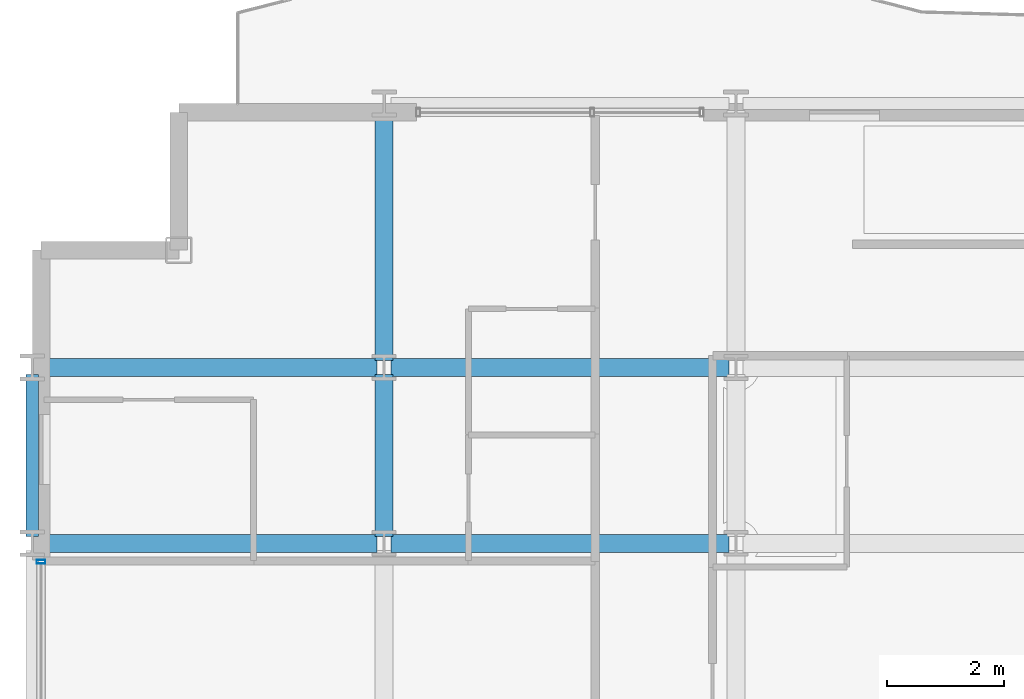
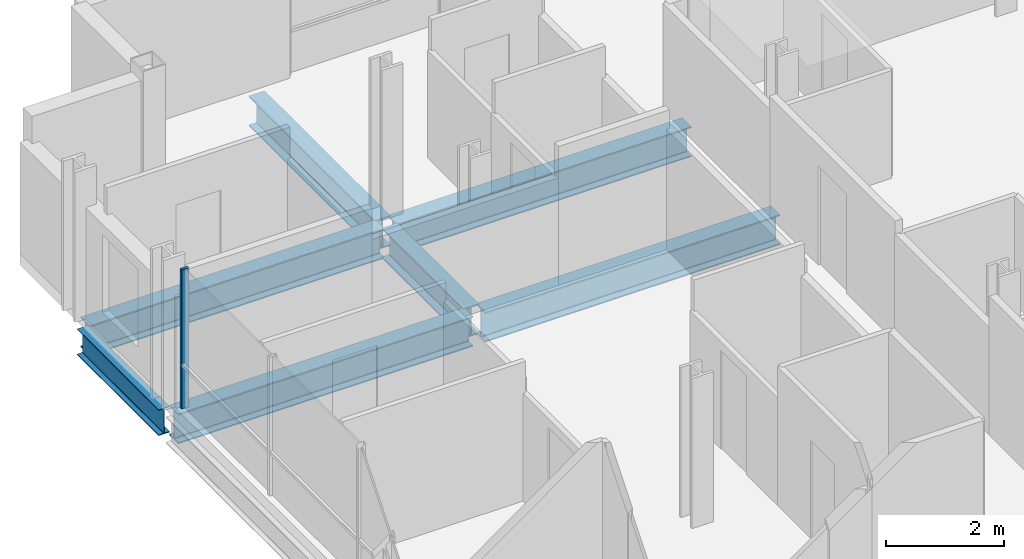
# One storey, part 7 of 41: 7 beams, 1 member, 1 element without a shape of its own.
"""IFC4 building model written with IfcOpenShell, lengths in metres."""

import ifcopenshell
import ifcopenshell.guid

model = None  # the IFC model being written
_history = None  # IfcOwnerHistory: only IFC2X3 demands one
_inside = {}  # id of a spatial element -> (the spatial element, [elements in it])
_under = {}  # id of a project, library or spatial element -> (it, [spatial elements below it])
_declared = {}  # id of a project -> (the project, [libraries it declares])
_typed = {}  # id of a type object -> (the type object, [elements of that type])
_made_of = {}  # id of a material, layer set ... -> (it, [elements and type objects made of it])


def new_model(schema):
    """Start an empty IFC model of exactly this schema.

    Asked for "IFC4X3", IfcOpenShell would pick the latest addendum, in which some entities
    have other attributes; the version numbers below select the first issue.
    IFC2X3 requires an IfcOwnerHistory on every rooted entity: one is made here for all.
    """
    global model, _history
    if schema == "IFC4X3":
        model = ifcopenshell.file(schema_version=(4, 3, 0, 0))
    else:
        model = ifcopenshell.file(schema=schema)
    _inside.clear()
    _under.clear()
    _declared.clear()
    _typed.clear()
    _made_of.clear()
    _history = None
    if model.schema == "IFC2X3":
        org = make("IfcOrganization", Name="unknown")
        user = make(
            "IfcPersonAndOrganization",
            ThePerson=make("IfcPerson", FamilyName="unknown"),
            TheOrganization=org,
        )
        app = make(
            "IfcApplication",
            ApplicationDeveloper=org,
            Version="unknown",
            ApplicationFullName="unknown",
            ApplicationIdentifier="unknown",
        )
        _history = make(
            "IfcOwnerHistory",
            OwningUser=user,
            OwningApplication=app,
            ChangeAction="ADDED",
            CreationDate=0,
        )
    return model


def make(cls, **values):
    """One entity of the class cls with the attributes given. An attribute that is None is left unset."""
    return model.create_entity(
        cls, **{name: value for name, value in values.items() if value is not None}
    )


def rooted(cls, **values):
    """An entity with a GlobalId (a new one), such as an element, a storey or a relation."""
    return make(cls, GlobalId=ifcopenshell.guid.new(), OwnerHistory=_history, **values)


def si_unit(unit_type, name, prefix=None):
    """IfcSIUnit, for example si_unit("LENGTHUNIT", "METRE", prefix="MILLI")."""
    return make("IfcSIUnit", UnitType=unit_type, Prefix=prefix, Name=name)


def assignment(units):
    """IfcUnitAssignment: the units of a project."""
    return None if units is None else make("IfcUnitAssignment", Units=units)


def point(xyz):
    """IfcCartesianPoint."""
    return None if xyz is None else make("IfcCartesianPoint", Coordinates=xyz)


def direction(xyz):
    """IfcDirection."""
    return None if xyz is None else make("IfcDirection", DirectionRatios=xyz)


def frame(location, z_axis=None, x_axis=None):
    """IfcAxis2Placement3D, a coordinate frame: its origin and axes. An axis left out is left unset."""
    return make(
        "IfcAxis2Placement3D",
        Location=point(location),
        Axis=direction(z_axis),
        RefDirection=direction(x_axis),
    )


def frame_2d(location, x_axis=None):
    """IfcAxis2Placement2D, a coordinate frame in the plane: its origin and x axis."""
    return make(
        "IfcAxis2Placement2D", Location=point(location), RefDirection=direction(x_axis)
    )


def origin():
    """The frame at (0, 0, 0) with its axes left unset."""
    return frame((0.0, 0.0, 0.0))


def origin_2d():
    """The frame at (0, 0) in the plane with its x axis left unset."""
    return frame_2d((0.0, 0.0))


def place(relative_to, where):
    """IfcLocalPlacement: puts the frame where relative to a parent placement (None: the world)."""
    return make(
        "IfcLocalPlacement", PlacementRelTo=relative_to, RelativePlacement=where
    )


def context(
    kind, dimensions, precision=None, world=None, true_north=None, identifier=None
):
    """IfcGeometricRepresentationContext, for example the 3D "Model" context."""
    return make(
        "IfcGeometricRepresentationContext",
        ContextIdentifier=identifier,
        ContextType=kind,
        CoordinateSpaceDimension=dimensions,
        Precision=precision,
        WorldCoordinateSystem=world,
        TrueNorth=true_north,
    )


def subcontext(parent, identifier, kind, view, scale=None):
    """IfcGeometricRepresentationSubContext, for example "Body" below "Model"."""
    return make(
        "IfcGeometricRepresentationSubContext",
        ContextIdentifier=identifier,
        ContextType=kind,
        ParentContext=parent,
        TargetScale=scale,
        TargetView=view,
    )


def project(units=None, contexts=None):
    """IfcProject with its units and contexts."""
    return rooted(
        "IfcProject",
        Name="project",
        RepresentationContexts=contexts,
        UnitsInContext=assignment(units),
    )


def spatial(cls, under=None, at=None, **own):
    """A site, building, storey or space (cls), placed at a placement, below another one or the project."""
    s = rooted(cls, ObjectPlacement=at, **own)
    if under is not None:
        _under.setdefault(under.id(), (under, []))[1].append(s)
    return s


def profile(cls, at=None, kind="AREA", **sizes):
    """A parametric profile (cls). Its sizes go by their IFC names, for example OverallWidth=200.0."""
    return make(cls, ProfileType=kind, Position=at, **sizes)


def hollow_rectangle(**sizes):
    """IfcRectangleHollowProfileDef."""
    return profile("IfcRectangleHollowProfileDef", **sizes)


def i_section(**sizes):
    """IfcIShapeProfileDef."""
    return profile("IfcIShapeProfileDef", **sizes)


def extrude(swept, where, along, depth):
    """IfcExtrudedAreaSolid: the profile swept, set in the frame where, extruded along a direction by depth."""
    return make(
        "IfcExtrudedAreaSolid",
        SweptArea=swept,
        Position=where,
        ExtrudedDirection=direction(along),
        Depth=depth,
    )


def shape(context_of_items, identifier, shape_type, items):
    """IfcShapeRepresentation: the items that make up one representation, for example the "Body"."""
    return make(
        "IfcShapeRepresentation",
        ContextOfItems=context_of_items,
        RepresentationIdentifier=identifier,
        RepresentationType=shape_type,
        Items=items,
    )


def material(Name=None, Category=None):
    """IfcMaterial."""
    return make("IfcMaterial", Name=Name, Category=Category)


def layer(
    of_material, thickness, ventilated=None, Name=None, Category=None, Priority=None
):
    """IfcMaterialLayer: one layer of a wall or slab, of a material (None: an air gap)."""
    return make(
        "IfcMaterialLayer",
        Material=of_material,
        LayerThickness=thickness,
        IsVentilated=ventilated,
        Name=Name,
        Category=Category,
        Priority=Priority,
    )


def layer_set(layers, Name=None):
    """IfcMaterialLayerSet."""
    return make("IfcMaterialLayerSet", MaterialLayers=layers, LayerSetName=Name)


def material_profile(
    of_material, cross_section, Name=None, Category=None, Priority=None
):
    """IfcMaterialProfile: a cross section and its material."""
    return make(
        "IfcMaterialProfile",
        Name=Name,
        Material=of_material,
        Profile=cross_section,
        Priority=Priority,
        Category=Category,
    )


def profile_set(profiles, Name=None, composite=None):
    """IfcMaterialProfileSet."""
    return make(
        "IfcMaterialProfileSet",
        Name=Name,
        MaterialProfiles=profiles,
        CompositeProfile=composite,
    )


def made_of(thing, what):
    """Note that an element or type object is made of a material, layer set ...; save() writes the relation."""
    if what is not None:
        _made_of.setdefault(what.id(), (what, []))[1].append(thing)
    return thing


def type_object(cls, material=None, **own):
    """A type object (cls), such as IfcWallType, which elements share."""
    return made_of(rooted(cls, **own), material)


def element(
    cls,
    number,
    at=None,
    inside=None,
    cuts=None,
    type_object=None,
    material=None,
    context=None,
    identifier="Body",
    shape_type=None,
    held_by="IfcProductDefinitionShape",
    body=None,
    shapes=None,
    **own,
):
    """One element of the class cls, such as IfcWall. Its Tag is "e" and its number.

    at: its placement. inside: the storey or other place that contains it. cuts: it is an
    opening in that element (IfcRelVoidsElement). A single representation is given by context,
    identifier, shape_type and body (its items); several are given by shapes. held_by: the class
    of the entity that holds the representations. save() writes the other relations.
    """
    e = rooted(cls, Tag="e%d" % number, ObjectPlacement=at, **own)
    if body is not None:
        shapes = [shape(context, identifier, shape_type, body)]
    if shapes is not None:
        e.Representation = make(held_by, Representations=shapes)
    if inside is not None:
        _inside.setdefault(inside.id(), (inside, []))[1].append(e)
    if cuts is not None:
        rooted(
            "IfcRelVoidsElement", RelatingBuildingElement=cuts, RelatedOpeningElement=e
        )
    if type_object is not None:
        _typed.setdefault(type_object.id(), (type_object, []))[1].append(e)
    return made_of(e, material)


def aggregate(whole, parts):
    """IfcRelAggregates: a whole, such as a stair, and the parts it consists of."""
    return rooted("IfcRelAggregates", RelatingObject=whole, RelatedObjects=parts)


def save(model, path):
    """Write the relations noted so far, then the file.

    IfcRelAggregates (storeys below a building ...), IfcRelContainedInSpatialStructure (elements
    in a storey), IfcRelDefinesByType, IfcRelAssociatesMaterial and IfcRelDeclares: one each for
    every whole, place, type object, material and project.
    """
    for whole, parts in _under.values():
        aggregate(whole, parts)
    for where, things in _inside.values():
        rooted(
            "IfcRelContainedInSpatialStructure",
            RelatedElements=things,
            RelatingStructure=where,
        )
    for kind, things in _typed.values():
        rooted("IfcRelDefinesByType", RelatedObjects=things, RelatingType=kind)
    for what, things in _made_of.values():
        rooted("IfcRelAssociatesMaterial", RelatedObjects=things, RelatingMaterial=what)
    for by, libraries in _declared.values():
        rooted("IfcRelDeclares", RelatingContext=by, RelatedDefinitions=libraries)
    model.write(path)


model = new_model("IFC4")

# Units and contexts
model_context = context("Model", 3, precision=1e-05, world=origin(), true_north=direction((0.0, 1.0)))
body_context = subcontext(model_context, "Body", "Model", "MODEL_VIEW")
ifc_project = project(units=[si_unit("LENGTHUNIT", "METRE"), si_unit("AREAUNIT", "SQUARE_METRE"), si_unit("VOLUMEUNIT", "CUBIC_METRE"), si_unit("PLANEANGLEUNIT", "RADIAN"), si_unit("MASSUNIT", "GRAM", prefix="KILO")], contexts=[model_context])

# Site, building, storey
site_placement = place(None, origin())
site = spatial("IfcSite", under=ifc_project, at=site_placement, CompositionType="ELEMENT")
building_placement = place(site_placement, origin())
building = spatial("IfcBuilding", under=site, at=building_placement, Name="Brevholm Reach", CompositionType="ELEMENT")
storey_placement = place(building_placement, frame((0.0, 0.0, 68.300048828125)))
storey = spatial("IfcBuildingStorey", under=building, at=storey_placement, Name="L19", CompositionType="ELEMENT", Elevation=68.300048828125)

# Beams
ifc_material_1 = material(Name="Structural Steel S355J2", Category="steel")
ifc_material_profile_1 = material_profile(ifc_material_1, i_section(OverallWidth=0.210693359375, OverallDepth=0.53955078125, WebThickness=0.01171875, FlangeThickness=0.018798828125, FilletRadius=0.0126953125, at=origin_2d()), Name="UKB 533x210x109")
ifc_profile_set_1 = profile_set([ifc_material_profile_1], Name="Structural Steel S355J2")
beam_type_1 = type_object("IfcBeamType", Name="BM-SP539", PredefinedType="SPANDREL", material=ifc_profile_set_1)
beam_1_placement = place(storey_placement, frame((0.0, 23.6201171875, -0.499755859375), z_axis=(0.0, 1.0, 0.0), x_axis=(-1.0, 0.0, 0.0)))
element("IfcBeam", 1, at=beam_1_placement, inside=storey, type_object=beam_type_1, Name="L19 SP-01B Framing Beam", PredefinedType="SPANDREL", context=body_context, shape_type="SweptSolid", body=[
    extrude(i_section(OverallWidth=0.210693359375, OverallDepth=0.53955078125, WebThickness=0.01171875, FlangeThickness=0.018798828125, FilletRadius=0.0126953125, at=origin_2d()), origin(), (0.0, 0.0, 1.0), 2.759765625),
])
ifc_material_2 = material(Name="Structural Steel S355J2", Category="steel")
ifc_material_profile_2 = material_profile(ifc_material_2, i_section(OverallWidth=0.30712890625, OverallDepth=0.6201171875, WebThickness=0.01416015625, FlangeThickness=0.023681640625, FilletRadius=0.0166015625, at=origin_2d()), Name="UKB 610x305x179")
ifc_profile_set_2 = profile_set([ifc_material_profile_2], Name="Structural Steel S355J2")
beam_type_2 = type_object("IfcBeamType", Name="BM-UKB610H", PredefinedType="USERDEFINED", material=ifc_profile_set_2)
for number, where, z_axis, x_axis, name in (
    (2, (0.1201171875, 23.5, -0.5400390625), (1.0, 0.0, 0.0), (0.0, 1.0, 0.0), "L19 G-06 Framing Beam"),
    (3, (6.1201171875, 23.5, -0.5400390625), (1.0, 0.0, 0.0), (0.0, 1.0, 0.0), "L19 G-06 Framing Beam"),
    (4, (0.1201171875, 26.5, -0.5400390625), (1.0, 0.0, 0.0), (0.0, 1.0, 0.0), "L19 G-06 Framing Beam"),
    (5, (6.1201171875, 26.5, -0.5400390625), (1.0, 0.0, 0.0), (0.0, 1.0, 0.0), "L19 G-06 Framing Beam"),
):
    element("IfcBeam", number, at=place(storey_placement, frame(where, z_axis=z_axis, x_axis=x_axis)), inside=storey, type_object=beam_type_2, Name=name, ObjectType="GIRDER", PredefinedType="USERDEFINED", context=body_context, shape_type="SweptSolid", body=[
        extrude(i_section(OverallWidth=0.30712890625, OverallDepth=0.6201171875, WebThickness=0.01416015625, FlangeThickness=0.023681640625, FilletRadius=0.0166015625, at=origin_2d()), origin(), (0.0, 0.0, 1.0), 5.759765625),
    ])
beam_2_placement = place(storey_placement, frame((6.0, 23.6201171875, -0.5400390625), z_axis=(0.0, 1.0, 0.0), x_axis=(-1.0, 0.0, 0.0)))
element("IfcBeam", 6, at=beam_2_placement, inside=storey, type_object=beam_type_2, Name="L19 G-06 Framing Beam", ObjectType="GIRDER", PredefinedType="USERDEFINED", context=body_context, shape_type="SweptSolid", body=[
    extrude(i_section(OverallWidth=0.30712890625, OverallDepth=0.6201171875, WebThickness=0.01416015625, FlangeThickness=0.023681640625, FilletRadius=0.0166015625, at=origin_2d()), origin(), (0.0, 0.0, 1.0), 2.759765625),
])
beam_3_placement = place(storey_placement, frame((6.0, 26.6201171875, -0.5400390625), z_axis=(0.0, 1.0, 0.0), x_axis=(-1.0, 0.0, 0.0)))
element("IfcBeam", 7, at=beam_3_placement, inside=storey, type_object=beam_type_2, Name="L19 G-06 Framing Beam", ObjectType="GIRDER", PredefinedType="USERDEFINED", context=body_context, shape_type="SweptSolid", body=[
    extrude(i_section(OverallWidth=0.30712890625, OverallDepth=0.6201171875, WebThickness=0.01416015625, FlangeThickness=0.023681640625, FilletRadius=0.0166015625, at=origin_2d()), origin(), (0.0, 0.0, 1.0), 4.259765625),
])

# Curtain wall, member
ifc_material_3 = material(Name="Dark Anodised Aluminium 6063-T6 and Solar-Control Glass", Category="aluminium")
ifc_layer = layer(ifc_material_3, 0.14990234375)
ifc_layer_set = layer_set([ifc_layer], Name="Dark Anodised Aluminium 6063-T6 and Solar-Control Glass")
curtain_wall_type = type_object("IfcCurtainWallType", Name="CW-01", PredefinedType="NOTDEFINED", material=ifc_layer_set)
curtain_wall_placement = place(storey_placement, origin())
curtain_wall = element("IfcCurtainWall", 8, at=curtain_wall_placement, inside=storey, type_object=curtain_wall_type, Name="L19 Curtain Wall CW-01", PredefinedType="NOTDEFINED")
ifc_material_4 = material(Name="Dark Anodised Aluminium 6063-T6", Category="aluminium")
ifc_material_profile_3 = material_profile(ifc_material_4, hollow_rectangle(XDim=0.06494140625, YDim=0.14990234375, WallThickness=0.0048828125, InnerFilletRadius=0.0048828125, OuterFilletRadius=0.010009765625, at=origin_2d()), Name="RHS 150x65x5")
ifc_profile_set_3 = profile_set([ifc_material_profile_3], Name="Dark Anodised Aluminium 6063-T6")
member_type = type_object("IfcMemberType", Name="CWM-150", PredefinedType="MULLION", material=ifc_profile_set_3)
member_placement = place(storey_placement, frame((0.14990234375, 23.1875, 0.0), z_axis=(0.0, 0.0, 1.0), x_axis=(0.0, -1.0, 0.0)))
member = element("IfcMember", 9, at=member_placement, type_object=member_type, Name="CM-150 Mullion 1", PredefinedType="MULLION", context=body_context, shape_type="SweptSolid", body=[
    extrude(hollow_rectangle(XDim=0.06494140625, YDim=0.14990234375, WallThickness=0.0048828125, InnerFilletRadius=0.0048828125, OuterFilletRadius=0.010009765625, at=origin_2d()), origin(), (0.0, 0.0, 1.0), 2.869873046875),
])
aggregate(curtain_wall, [member])

save(model, "model.ifc")
